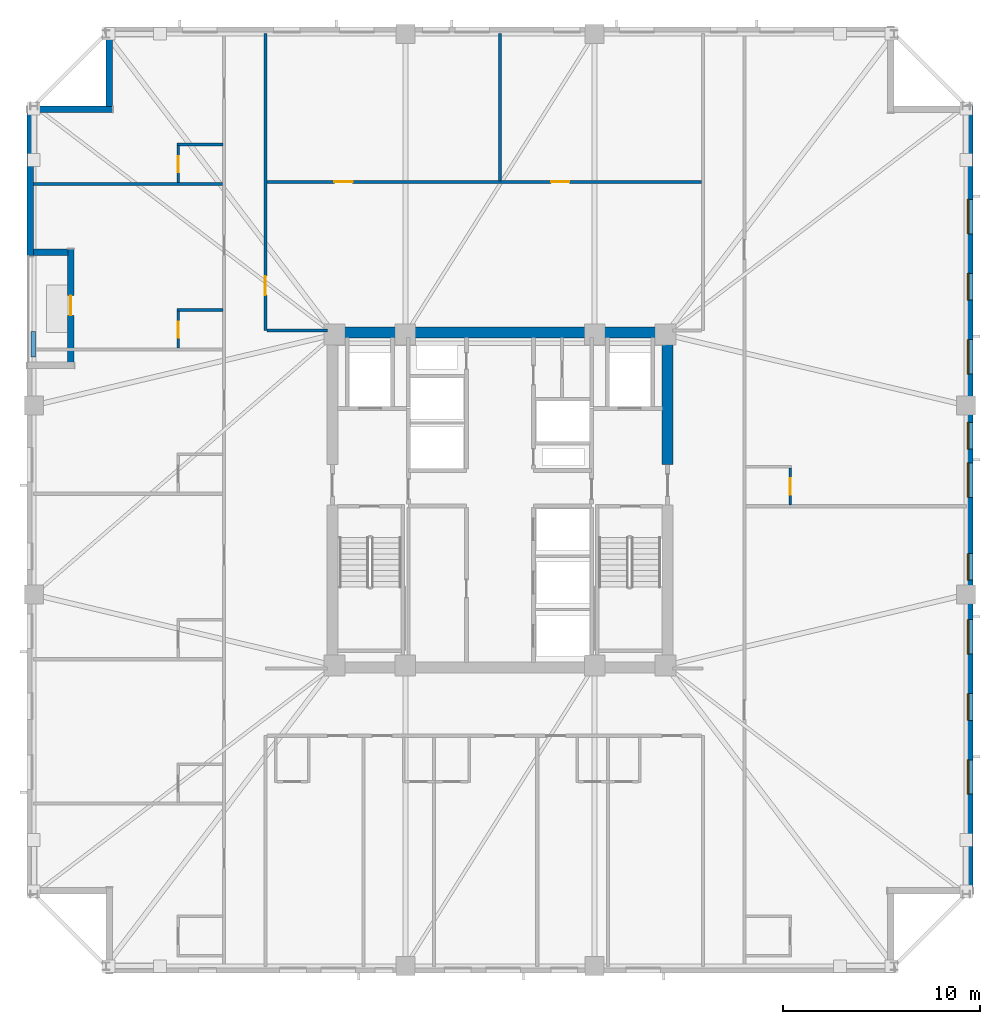
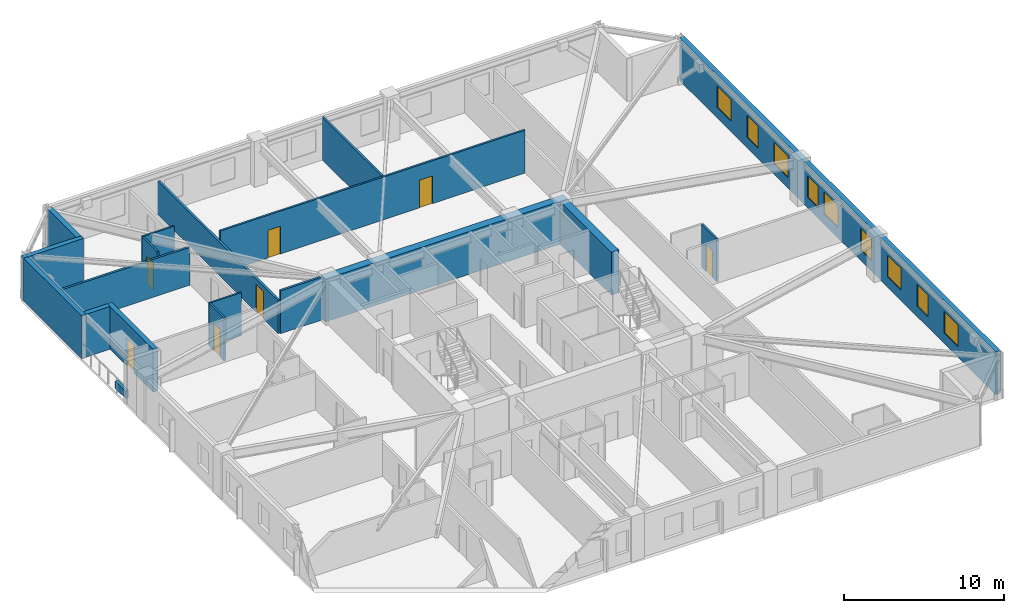
# One storey, part 5 of 11: 19 walls, 9 windows, 7 doors, 16 openings.
"""IFC4 building model written with IfcOpenShell, lengths in metres."""

from ifc_helpers import new_model, si_unit, direction, frame, frame_2d, origin, place, context, subcontext, project, spatial, rectangle, extrude, material, layer, layer_set, type_object, element, fill, save


model = new_model("IFC4")

# Units and contexts
model_context = context("Model", 3, precision=1e-05, world=origin(), true_north=direction((0.0, 1.0)))
body_context = subcontext(model_context, "Body", "Model", "MODEL_VIEW")
ifc_project = project(units=[si_unit("LENGTHUNIT", "METRE"), si_unit("AREAUNIT", "SQUARE_METRE"), si_unit("VOLUMEUNIT", "CUBIC_METRE"), si_unit("PLANEANGLEUNIT", "RADIAN"), si_unit("MASSUNIT", "GRAM", prefix="KILO")], contexts=[model_context])

# Site, building, storey
site_placement = place(None, origin())
site = spatial("IfcSite", under=ifc_project, at=site_placement, CompositionType="ELEMENT")
building_placement = place(site_placement, origin())
building = spatial("IfcBuilding", under=site, at=building_placement, Name="Cairnveth Concourse Tower", CompositionType="ELEMENT")
storey_placement = place(building_placement, frame((0.0, 0.0, 116.5)))
storey = spatial("IfcBuildingStorey", under=building, at=storey_placement, Name="L31", CompositionType="ELEMENT", Elevation=116.5)

# Wall, opening, door
ifc_material_1 = material(Name="Gypsum Plasterboard Partition", Category="gypsum")
ifc_layer_1 = layer(ifc_material_1, 0.159912109375)
ifc_layer_set_1 = layer_set([ifc_layer_1], Name="Gypsum Plasterboard Partition")
wall_type_1 = type_object("IfcWallType", Name="ACOUSTIC PARTY WALL 180", PredefinedType="PARTITIONING", material=ifc_layer_set_1)
wall_1_placement = place(storey_placement, frame((40.10009765625, 47.60009765625, 0.0), z_axis=(0.0, 0.0, 1.0), x_axis=(0.0, 1.0, 0.0)))
wall_1 = element("IfcWall", 1, at=wall_1_placement, inside=storey, type_object=wall_type_1, Name="Interior Wall IW-L31-038", PredefinedType="PARTITIONING", context=body_context, shape_type="SweptSolid", body=[
    extrude(rectangle(XDim=15.074951171875, YDim=0.159912109375, at=frame_2d((7.53759765625, 0.0))), origin(), (0.0, 0.0, 1.0), 2.554931640625),
])
opening_1_placement = place(wall_1_placement, frame((1.800048828125, 0.0, 0.0)))
opening_1 = element("IfcOpeningElement", 2, at=opening_1_placement, cuts=wall_1, Name="Opening ID11", PredefinedType="OPENING", context=body_context, shape_type="SweptSolid", body=[
    extrude(rectangle(XDim=0.9599609375, YDim=2.1201171875, at=frame_2d((0.47998046875, 1.06005859375))), frame((0.0, 0.08984375, 0.0), z_axis=(0.0, -1.0, 0.0), x_axis=(1.0, 0.0, 0.0)), (0.0, 0.0, 1.0), 0.179931640625),
])
ifc_material_2 = material(Name="Solid Core Hardwood Timber Leaf", Category="wood")
door_type_1 = type_object("IfcDoorType", Name="INTERIOR SINGLE DOOR 960X2150", OperationType="NOTDEFINED", PredefinedType="DOOR", material=ifc_material_2)
door_1_placement = place(opening_1_placement, origin())
door_1 = element("IfcDoor", 3, at=door_1_placement, inside=storey, type_object=door_type_1, Name="Interior Door DR-L31-015", OperationType="SINGLE_SWING_LEFT", OverallHeight=2.1201171875, OverallWidth=0.9599609375, PredefinedType="DOOR", context=body_context, shape_type="SweptSolid", body=[
    extrude(rectangle(XDim=0.9599609375, YDim=2.1201171875, at=frame_2d((0.47998046875, 1.06005859375))), frame((0.0, 0.02490234375, 0.0), z_axis=(0.0, -1.0, 0.0), x_axis=(1.0, 0.0, 0.0)), (0.0, 0.0, 1.0), 0.050048828125),
])
fill(opening_1, door_1)

# Walls
wall_2_placement = place(storey_placement, frame((40.1650390625, 47.60009765625, 0.0), z_axis=(0.0, 0.0, 1.0), x_axis=(1.0, 0.0, 0.0)))
element("IfcWall", 4, at=wall_2_placement, inside=storey, type_object=wall_type_1, Name="Interior Wall IW-L31-040", PredefinedType="PARTITIONING", context=body_context, shape_type="SweptSolid", body=[
    extrude(rectangle(XDim=3.070068359375, YDim=0.159912109375, at=frame_2d((1.53515625, 0.0))), origin(), (0.0, 0.0, 1.0), 3.280029296875),
])
wall_3_placement = place(storey_placement, frame((28.324951171875, 55.036865234375, 0.0), z_axis=(0.0, 0.0, 1.0), x_axis=(1.0, 0.0, 0.0)))
element("IfcWall", 5, at=wall_3_placement, inside=storey, type_object=wall_type_1, Name="Interior Wall IW-L31-079", PredefinedType="PARTITIONING", context=body_context, shape_type="SweptSolid", body=[
    extrude(rectangle(XDim=9.594970703125, YDim=0.159912109375, at=frame_2d((4.79736328125, 0.0))), origin(), (0.0, 0.0, 1.0), 2.89599609375),
])
ifc_material_3 = material(Name="Concrete N80 (80 MPa)", Category="concrete")
ifc_layer_2 = layer(ifc_material_3, 0.550048828125)
ifc_layer_set_2 = layer_set([ifc_layer_2], Name="Concrete N80 (80 MPa)")
wall_type_2 = type_object("IfcWallType", Name="CORE SHEAR WALL 550", PredefinedType="SHEAR", material=ifc_layer_set_2)
wall_4_placement = place(storey_placement, frame((43.22509765625, 47.5, 0.0), z_axis=(0.0, 0.0, 1.0), x_axis=(1.0, 0.0, 0.0)))
element("IfcWall", 6, at=wall_4_placement, inside=storey, type_object=wall_type_2, Name="Core North Shear Wall L31", PredefinedType="SHEAR", context=body_context, shape_type="SweptSolid", body=[
    extrude(rectangle(XDim=17.5498046875, YDim=0.550048828125, at=frame_2d((8.77490234375, 0.0))), origin(), (0.0, 0.0, 1.0), 3.280029296875),
])
wall_5_placement = place(storey_placement, frame((60.5, 40.800048828125, 0.0), z_axis=(0.0, 0.0, 1.0), x_axis=(0.0, 1.0, 0.0)))
element("IfcWall", 7, at=wall_5_placement, inside=storey, type_object=wall_type_2, Name="Core East Shear Wall N L31", PredefinedType="SHEAR", context=body_context, shape_type="SweptSolid", body=[
    extrude(rectangle(XDim=6.43505859375, YDim=0.550048828125, at=frame_2d((3.217529296875, 0.0))), origin(), (0.0, 0.0, 1.0), 3.280029296875),
])

# Wall, openings, doors
ifc_layer_3 = layer(ifc_material_1, 0.139892578125)
ifc_layer_set_3 = layer_set([ifc_layer_3], Name="Gypsum Plasterboard Partition")
wall_type_3 = type_object("IfcWallType", Name="GYPSUM STUD PARTITION 140", PredefinedType="PARTITIONING", material=ifc_layer_set_3)
wall_6_placement = place(storey_placement, frame((40.1650390625, 55.139892578125, 0.0), z_axis=(0.0, 0.0, 1.0), x_axis=(1.0, 0.0, 0.0)))
wall_6 = element("IfcWall", 8, at=wall_6_placement, inside=storey, type_object=wall_type_3, Name="Interior Wall IW-L31-047", PredefinedType="PARTITIONING", context=body_context, shape_type="SweptSolid", body=[
    extrude(rectangle(XDim=22.070068359375, YDim=0.139892578125, at=frame_2d((11.03515625, 0.0))), origin(), (0.0, 0.0, 1.0), 3.280029296875),
])
opening_2_placement = place(wall_6_placement, frame((3.43505859375, 0.0, 0.0)))
opening_2 = element("IfcOpeningElement", 9, at=opening_2_placement, cuts=wall_6, Name="Opening ID15", PredefinedType="OPENING", context=body_context, shape_type="SweptSolid", body=[
    extrude(rectangle(XDim=0.919921875, YDim=2.1201171875, at=frame_2d((0.4599609375, 1.06005859375))), frame((0.0, 0.079833984375, 0.0), z_axis=(0.0, -1.0, 0.0), x_axis=(1.0, 0.0, 0.0)), (0.0, 0.0, 1.0), 0.159912109375),
])
opening_3_placement = place(wall_6_placement, frame((14.43505859375, 0.0, 0.0)))
opening_3 = element("IfcOpeningElement", 10, at=opening_3_placement, cuts=wall_6, Name="Opening ID15", PredefinedType="OPENING", context=body_context, shape_type="SweptSolid", body=[
    extrude(rectangle(XDim=0.919921875, YDim=2.1201171875, at=frame_2d((0.4599609375, 1.06005859375))), frame((0.0, 0.079833984375, 0.0), z_axis=(0.0, -1.0, 0.0), x_axis=(1.0, 0.0, 0.0)), (0.0, 0.0, 1.0), 0.159912109375),
])
door_type_2 = type_object("IfcDoorType", Name="INTERIOR SINGLE DOOR 920X2100", OperationType="NOTDEFINED", PredefinedType="DOOR", material=ifc_material_2)
door_2_placement = place(opening_2_placement, origin())
door_2 = element("IfcDoor", 11, at=door_2_placement, inside=storey, type_object=door_type_2, Name="Interior Door DR-L31-016", OperationType="SINGLE_SWING_RIGHT", OverallHeight=2.1201171875, OverallWidth=0.919921875, PredefinedType="DOOR", context=body_context, shape_type="SweptSolid", body=[
    extrude(rectangle(XDim=0.919921875, YDim=2.1201171875, at=frame_2d((0.4599609375, 1.06005859375))), frame((0.0, 0.02490234375, 0.0), z_axis=(0.0, -1.0, 0.0), x_axis=(1.0, 0.0, 0.0)), (0.0, 0.0, 1.0), 0.050048828125),
])
fill(opening_2, door_2)
door_3_placement = place(opening_3_placement, origin())
door_3 = element("IfcDoor", 12, at=door_3_placement, inside=storey, type_object=door_type_2, Name="Interior Door DR-L31-017", OperationType="SINGLE_SWING_LEFT", OverallHeight=2.1201171875, OverallWidth=0.919921875, PredefinedType="DOOR", context=body_context, shape_type="SweptSolid", body=[
    extrude(rectangle(XDim=0.919921875, YDim=2.1201171875, at=frame_2d((0.4599609375, 1.06005859375))), frame((0.0, 0.02490234375, 0.0), z_axis=(0.0, -1.0, 0.0), x_axis=(1.0, 0.0, 0.0)), (0.0, 0.0, 1.0), 0.050048828125),
])
fill(opening_3, door_3)

# Walls
wall_7_placement = place(storey_placement, frame((52.0, 55.195068359375, 0.0), z_axis=(0.0, 0.0, 1.0), x_axis=(0.0, 1.0, 0.0)))
element("IfcWall", 13, at=wall_7_placement, inside=storey, type_object=wall_type_3, Name="Interior Wall IW-L31-048", PredefinedType="PARTITIONING", context=body_context, shape_type="SweptSolid", body=[
    extrude(rectangle(XDim=7.47998046875, YDim=0.139892578125, at=frame_2d((3.739990234375, 0.0))), origin(), (0.0, 0.0, 1.0), 3.280029296875),
])
ifc_material_4 = material(Name="Dressed Melbourne Bluestone Cladding", Category="masonry")
ifc_layer_4 = layer(ifc_material_4, 0.219970703125)
ifc_layer_set_4 = layer_set([ifc_layer_4], Name="Dressed Melbourne Bluestone Cladding")
wall_type_4 = type_object("IfcWallType", Name="TERRACE PLANTER CURB WALL 220", PredefinedType="PARAPET", material=ifc_layer_set_4)
wall_8_placement = place(storey_placement, frame((28.320068359375, 46.25, 0.0), z_axis=(0.0, 0.0, 1.0), x_axis=(0.0, 1.0, 0.0)))
element("IfcWall", 14, at=wall_8_placement, inside=storey, type_object=wall_type_4, Name="Exterior Wall PLNT-L31-TERR", PredefinedType="PARAPET", context=body_context, shape_type="SweptSolid", body=[
    extrude(rectangle(XDim=1.300048828125, YDim=0.219970703125, at=frame_2d((0.64990234375, 0.0))), origin(), (0.0, 0.0, 1.0), 0.550048828125),
])
ifc_layer_5 = layer(ifc_material_1, 0.1298828125)
ifc_layer_set_5 = layer_set([ifc_layer_5], Name="Gypsum Plasterboard Partition")
wall_type_5 = type_object("IfcWallType", Name="WET AREA PARTITION 140", PredefinedType="PLUMBINGWALL", material=ifc_layer_set_5)
wall_9_placement = place(storey_placement, frame((35.6201171875, 48.640625, 0.0), z_axis=(0.0, 0.0, 1.0), x_axis=(1.0, 0.0, 0.0)))
element("IfcWall", 15, at=wall_9_placement, inside=storey, type_object=wall_type_5, Name="Interior Wall IW-L31-077", PredefinedType="PLUMBINGWALL", context=body_context, shape_type="SweptSolid", body=[
    extrude(rectangle(XDim=2.31494140625, YDim=0.1298828125, at=frame_2d((1.157470703125, 0.0))), origin(), (0.0, 0.0, 1.0), 3.280029296875),
])

# Wall, opening, door
wall_10_placement = place(storey_placement, frame((35.669921875, 46.70556640625, 0.0), z_axis=(0.0, 0.0, 1.0), x_axis=(0.0, 1.0, 0.0)))
wall_10 = element("IfcWall", 16, at=wall_10_placement, inside=storey, type_object=wall_type_5, Name="Interior Wall IW-L31-078", PredefinedType="PLUMBINGWALL", context=body_context, shape_type="SweptSolid", body=[
    extrude(rectangle(XDim=1.885009765625, YDim=0.1298828125, at=frame_2d((0.9423828125, 0.0))), origin(), (0.0, 0.0, 1.0), 3.280029296875),
])
opening_4_placement = place(wall_10_placement, frame((0.52490234375, 0.0, 0.0)))
opening_4 = element("IfcOpeningElement", 17, at=opening_4_placement, cuts=wall_10, Name="Opening ID22", PredefinedType="OPENING", context=body_context, shape_type="SweptSolid", body=[
    extrude(rectangle(XDim=0.820068359375, YDim=2.10009765625, at=frame_2d((0.41015625, 1.050048828125))), frame((0.0, 0.074951171875, 0.0), z_axis=(0.0, -1.0, 0.0), x_axis=(1.0, 0.0, 0.0)), (0.0, 0.0, 1.0), 0.14990234375),
])
door_type_3 = type_object("IfcDoorType", Name="INTERIOR WC DOOR 820X2100", OperationType="NOTDEFINED", PredefinedType="DOOR", material=ifc_material_2)
door_4_placement = place(opening_4_placement, origin())
door_4 = element("IfcDoor", 18, at=door_4_placement, inside=storey, type_object=door_type_3, Name="En-Suite Door L31-W5", OperationType="SINGLE_SWING_RIGHT", OverallHeight=2.10009765625, OverallWidth=0.820068359375, PredefinedType="DOOR", context=body_context, shape_type="SweptSolid", body=[
    extrude(rectangle(XDim=0.820068359375, YDim=2.10009765625, at=frame_2d((0.41015625, 1.050048828125))), frame((0.0, 0.02490234375, 0.0), z_axis=(0.0, -1.0, 0.0), x_axis=(1.0, 0.0, 0.0)), (0.0, 0.0, 1.0), 0.050048828125),
])
fill(opening_4, door_4)

# Wall
wall_11_placement = place(storey_placement, frame((35.6201171875, 57.036865234375, 0.0), z_axis=(0.0, 0.0, 1.0), x_axis=(1.0, 0.0, 0.0)))
element("IfcWall", 19, at=wall_11_placement, inside=storey, type_object=wall_type_5, Name="Interior Wall IW-L31-080", PredefinedType="PLUMBINGWALL", context=body_context, shape_type="SweptSolid", body=[
    extrude(rectangle(XDim=2.31494140625, YDim=0.1298828125, at=frame_2d((1.157470703125, 0.0))), origin(), (0.0, 0.0, 1.0), 3.280029296875),
])

# Wall, opening, door
wall_12_placement = place(storey_placement, frame((35.669921875, 55.101806640625, 0.0), z_axis=(0.0, 0.0, 1.0), x_axis=(0.0, 1.0, 0.0)))
wall_12 = element("IfcWall", 20, at=wall_12_placement, inside=storey, type_object=wall_type_5, Name="Interior Wall IW-L31-081", PredefinedType="PLUMBINGWALL", context=body_context, shape_type="SweptSolid", body=[
    extrude(rectangle(XDim=1.885009765625, YDim=0.1298828125, at=frame_2d((0.9423828125, 0.0))), origin(), (0.0, 0.0, 1.0), 3.280029296875),
])
opening_5_placement = place(wall_12_placement, frame((0.52490234375, 0.0, 0.0)))
opening_5 = element("IfcOpeningElement", 21, at=opening_5_placement, cuts=wall_12, Name="Opening ID22", PredefinedType="OPENING", context=body_context, shape_type="SweptSolid", body=[
    extrude(rectangle(XDim=0.820068359375, YDim=2.10009765625, at=frame_2d((0.41015625, 1.050048828125))), frame((0.0, 0.074951171875, 0.0), z_axis=(0.0, -1.0, 0.0), x_axis=(1.0, 0.0, 0.0)), (0.0, 0.0, 1.0), 0.14990234375),
])
door_5_placement = place(opening_5_placement, origin())
door_5 = element("IfcDoor", 22, at=door_5_placement, inside=storey, type_object=door_type_3, Name="En-Suite Door L31-W6", OperationType="SINGLE_SWING_RIGHT", OverallHeight=2.10009765625, OverallWidth=0.820068359375, PredefinedType="DOOR", context=body_context, shape_type="SweptSolid", body=[
    extrude(rectangle(XDim=0.820068359375, YDim=2.10009765625, at=frame_2d((0.41015625, 1.050048828125))), frame((0.0, 0.02490234375, 0.0), z_axis=(0.0, -1.0, 0.0), x_axis=(1.0, 0.0, 0.0)), (0.0, 0.0, 1.0), 0.050048828125),
])
fill(opening_5, door_5)

wall_13_placement = place(storey_placement, frame((66.72998046875, 38.748046875, 0.0), z_axis=(0.0, 0.0, 1.0), x_axis=(0.0, 1.0, 0.0)))
wall_13 = element("IfcWall", 23, at=wall_13_placement, inside=storey, type_object=wall_type_5, Name="Interior Wall IW-L31-087", PredefinedType="PLUMBINGWALL", context=body_context, shape_type="SweptSolid", body=[
    extrude(rectangle(XDim=1.885009765625, YDim=0.1298828125, at=frame_2d((0.9423828125, 0.0))), origin(), (0.0, 0.0, 1.0), 3.280029296875),
])
opening_6_placement = place(wall_13_placement, frame((0.52490234375, 0.0, 0.0)))
opening_6 = element("IfcOpeningElement", 24, at=opening_6_placement, cuts=wall_13, Name="Opening ID22", PredefinedType="OPENING", context=body_context, shape_type="SweptSolid", body=[
    extrude(rectangle(XDim=0.820068359375, YDim=2.10009765625, at=frame_2d((0.41015625, 1.050048828125))), frame((0.0, 0.074951171875, 0.0), z_axis=(0.0, -1.0, 0.0), x_axis=(1.0, 0.0, 0.0)), (0.0, 0.0, 1.0), 0.14990234375),
])
door_6_placement = place(opening_6_placement, origin())
door_6 = element("IfcDoor", 25, at=door_6_placement, inside=storey, type_object=door_type_3, Name="En-Suite Door L31-E2", OperationType="SINGLE_SWING_RIGHT", OverallHeight=2.10009765625, OverallWidth=0.820068359375, PredefinedType="DOOR", context=body_context, shape_type="SweptSolid", body=[
    extrude(rectangle(XDim=0.820068359375, YDim=2.10009765625, at=frame_2d((0.41015625, 1.050048828125))), frame((0.0, 0.02490234375, 0.0), z_axis=(0.0, -1.0, 0.0), x_axis=(1.0, 0.0, 0.0)), (0.0, 0.0, 1.0), 0.050048828125),
])
fill(opening_6, door_6)

# Walls
ifc_material_5 = material(Name="Hawthorn Red-Ochre Fired Clay Brick Masonry", Category="masonry")
ifc_layer_6 = layer(ifc_material_5, 0.340087890625)
ifc_layer_set_6 = layer_set([ifc_layer_6], Name="Hawthorn Red-Ochre Fired Clay Brick Masonry")
wall_type_6 = type_object("IfcWallType", Name="ZONE 2 BRICK PIER SPANDREL WALL 340", PredefinedType="SOLIDWALL", material=ifc_layer_set_6)
wall_14_placement = place(storey_placement, frame((28.169921875, 51.39990234375, 0.0), z_axis=(0.0, 0.0, 1.0), x_axis=(0.0, 1.0, 0.0)))
element("IfcWall", 26, at=wall_14_placement, inside=storey, type_object=wall_type_6, Name="Exterior Wall EW-L31-S00", PredefinedType="SOLIDWALL", context=body_context, shape_type="SweptSolid", body=[
    extrude(rectangle(XDim=7.281982421875, YDim=0.340087890625, at=frame_2d((3.64111328125, 0.0))), origin(), (0.0, 0.0, 1.0), 3.280029296875),
])
wall_15_placement = place(storey_placement, frame((28.0, 58.830078125, 0.0), z_axis=(0.0, 0.0, 1.0), x_axis=(1.0, 0.0, 0.0)))
element("IfcWall", 27, at=wall_15_placement, inside=storey, type_object=wall_type_6, Name="Exterior Wall EW-L31-S01", PredefinedType="SOLIDWALL", context=body_context, shape_type="SweptSolid", body=[
    extrude(rectangle(XDim=4.340087890625, YDim=0.340087890625, at=frame_2d((2.169921875, 0.0))), origin(), (0.0, 0.0, 1.0), 3.280029296875),
])
wall_16_placement = place(storey_placement, frame((32.169921875, 58.97802734375, 0.0), z_axis=(0.0, 0.0, 1.0), x_axis=(0.0, 1.0, 0.0)))
element("IfcWall", 28, at=wall_16_placement, inside=storey, type_object=wall_type_6, Name="Exterior Wall EW-L31-S02", PredefinedType="SOLIDWALL", context=body_context, shape_type="SweptSolid", body=[
    extrude(rectangle(XDim=3.703857421875, YDim=0.340087890625, at=frame_2d((1.85205078125, 0.0))), origin(), (0.0, 0.0, 1.0), 3.280029296875),
])

# Wall, openings, windows
wall_17_placement = place(storey_placement, frame((75.830078125, 59.0, 0.0), z_axis=(0.0, 0.0, 1.0), x_axis=(0.0, -1.0, 0.0)))
wall_17 = element("IfcWall", 29, at=wall_17_placement, inside=storey, type_object=wall_type_6, Name="Exterior Wall EW-L31-S06", PredefinedType="SOLIDWALL", context=body_context, shape_type="SweptSolid", body=[
    extrude(rectangle(XDim=39.681884765625, YDim=0.340087890625, at=frame_2d((19.8408203125, 0.0))), origin(), (0.0, 0.0, 1.0), 3.280029296875),
])
opening_7_placement = place(wall_17_placement, frame((4.751708984375, 0.0, 0.800048828125)))
opening_7 = element("IfcOpeningElement", 30, at=opening_7_placement, cuts=wall_17, Name="Opening W06", PredefinedType="OPENING", context=body_context, shape_type="SweptSolid", body=[
    extrude(rectangle(XDim=1.75, YDim=1.659912109375, at=frame_2d((0.875, 0.830078125))), frame((0.0, 0.179931640625, 0.0), z_axis=(0.0, -1.0, 0.0), x_axis=(1.0, 0.0, 0.0)), (0.0, 0.0, 1.0), 0.360107421875),
])
opening_8_placement = place(wall_17_placement, frame((8.50537109375, 0.0, 0.800048828125)))
opening_8 = element("IfcOpeningElement", 31, at=opening_8_placement, cuts=wall_17, Name="Opening W02", PredefinedType="OPENING", context=body_context, shape_type="SweptSolid", body=[
    extrude(rectangle(XDim=1.35009765625, YDim=1.659912109375, at=frame_2d((0.675048828125, 0.830078125))), frame((0.0, 0.179931640625, 0.0), z_axis=(0.0, -1.0, 0.0), x_axis=(1.0, 0.0, 0.0)), (0.0, 0.0, 1.0), 0.360107421875),
])
opening_9_placement = place(wall_17_placement, frame((11.85888671875, 0.0, 0.800048828125)))
opening_9 = element("IfcOpeningElement", 32, at=opening_9_placement, cuts=wall_17, Name="Opening W06", PredefinedType="OPENING", context=body_context, shape_type="SweptSolid", body=[
    extrude(rectangle(XDim=1.75, YDim=1.659912109375, at=frame_2d((0.875, 0.830078125))), frame((0.0, 0.179931640625, 0.0), z_axis=(0.0, -1.0, 0.0), x_axis=(1.0, 0.0, 0.0)), (0.0, 0.0, 1.0), 0.360107421875),
])
opening_10_placement = place(wall_17_placement, frame((16.0625, 0.0, 0.800048828125)))
opening_10 = element("IfcOpeningElement", 33, at=opening_10_placement, cuts=wall_17, Name="Opening W02", PredefinedType="OPENING", context=body_context, shape_type="SweptSolid", body=[
    extrude(rectangle(XDim=1.35009765625, YDim=1.659912109375, at=frame_2d((0.675048828125, 0.830078125))), frame((0.0, 0.179931640625, 0.0), z_axis=(0.0, -1.0, 0.0), x_axis=(1.0, 0.0, 0.0)), (0.0, 0.0, 1.0), 0.360107421875),
])
opening_11_placement = place(wall_17_placement, frame((18.115966796875, 0.0, 0.800048828125)))
opening_11 = element("IfcOpeningElement", 34, at=opening_11_placement, cuts=wall_17, Name="Opening W06", PredefinedType="OPENING", context=body_context, shape_type="SweptSolid", body=[
    extrude(rectangle(XDim=1.75, YDim=1.659912109375, at=frame_2d((0.875, 0.830078125))), frame((0.0, 0.179931640625, 0.0), z_axis=(0.0, -1.0, 0.0), x_axis=(1.0, 0.0, 0.0)), (0.0, 0.0, 1.0), 0.360107421875),
])
opening_12_placement = place(wall_17_placement, frame((22.719482421875, 0.0, 0.800048828125)))
opening_12 = element("IfcOpeningElement", 35, at=opening_12_placement, cuts=wall_17, Name="Opening W02", PredefinedType="OPENING", context=body_context, shape_type="SweptSolid", body=[
    extrude(rectangle(XDim=1.35009765625, YDim=1.659912109375, at=frame_2d((0.675048828125, 0.830078125))), frame((0.0, 0.179931640625, 0.0), z_axis=(0.0, -1.0, 0.0), x_axis=(1.0, 0.0, 0.0)), (0.0, 0.0, 1.0), 0.360107421875),
])
opening_13_placement = place(wall_17_placement, frame((26.072998046875, 0.0, 0.800048828125)))
opening_13 = element("IfcOpeningElement", 36, at=opening_13_placement, cuts=wall_17, Name="Opening W06", PredefinedType="OPENING", context=body_context, shape_type="SweptSolid", body=[
    extrude(rectangle(XDim=1.75, YDim=1.659912109375, at=frame_2d((0.875, 0.830078125))), frame((0.0, 0.179931640625, 0.0), z_axis=(0.0, -1.0, 0.0), x_axis=(1.0, 0.0, 0.0)), (0.0, 0.0, 1.0), 0.360107421875),
])
opening_14_placement = place(wall_17_placement, frame((29.82666015625, 0.0, 0.800048828125)))
opening_14 = element("IfcOpeningElement", 37, at=opening_14_placement, cuts=wall_17, Name="Opening W02", PredefinedType="OPENING", context=body_context, shape_type="SweptSolid", body=[
    extrude(rectangle(XDim=1.35009765625, YDim=1.659912109375, at=frame_2d((0.675048828125, 0.830078125))), frame((0.0, 0.179931640625, 0.0), z_axis=(0.0, -1.0, 0.0), x_axis=(1.0, 0.0, 0.0)), (0.0, 0.0, 1.0), 0.360107421875),
])
opening_15_placement = place(wall_17_placement, frame((33.18017578125, 0.0, 0.800048828125)))
opening_15 = element("IfcOpeningElement", 38, at=opening_15_placement, cuts=wall_17, Name="Opening W06", PredefinedType="OPENING", context=body_context, shape_type="SweptSolid", body=[
    extrude(rectangle(XDim=1.75, YDim=1.659912109375, at=frame_2d((0.875, 0.830078125))), frame((0.0, 0.179931640625, 0.0), z_axis=(0.0, -1.0, 0.0), x_axis=(1.0, 0.0, 0.0)), (0.0, 0.0, 1.0), 0.360107421875),
])
ifc_material_6 = material(Name="Double Glazed Low-E Clear Glass", Category="glass")
window_type_1 = type_object("IfcWindowType", Name="DEEP-SET GOTHIC LANCET WINDOW 1350X1800", PartitioningType="DOUBLE_PANEL_VERTICAL", PredefinedType="WINDOW", material=ifc_material_6)
window_1_placement = place(opening_8_placement, origin())
window_1 = element("IfcWindow", 39, at=window_1_placement, inside=storey, type_object=window_type_1, Name="Gothic Lancet Window L31-6-2", OverallHeight=1.659912109375, OverallWidth=1.35009765625, PartitioningType="SINGLE_PANEL", PredefinedType="WINDOW", context=body_context, shape_type="SweptSolid", body=[
    extrude(rectangle(XDim=1.35009765625, YDim=1.659912109375, at=frame_2d((0.675048828125, 0.830078125))), frame((0.0, -0.050048828125, 0.0), z_axis=(0.0, -1.0, 0.0), x_axis=(1.0, 0.0, 0.0)), (0.0, 0.0, 1.0), 0.06005859375),
])
fill(opening_8, window_1)
window_2_placement = place(opening_10_placement, origin())
window_2 = element("IfcWindow", 40, at=window_2_placement, inside=storey, type_object=window_type_1, Name="Gothic Lancet Window L31-6-4", OverallHeight=1.659912109375, OverallWidth=1.35009765625, PartitioningType="SINGLE_PANEL", PredefinedType="WINDOW", context=body_context, shape_type="SweptSolid", body=[
    extrude(rectangle(XDim=1.35009765625, YDim=1.659912109375, at=frame_2d((0.675048828125, 0.830078125))), frame((0.0, -0.050048828125, 0.0), z_axis=(0.0, -1.0, 0.0), x_axis=(1.0, 0.0, 0.0)), (0.0, 0.0, 1.0), 0.06005859375),
])
fill(opening_10, window_2)
window_3_placement = place(opening_12_placement, origin())
window_3 = element("IfcWindow", 41, at=window_3_placement, inside=storey, type_object=window_type_1, Name="Gothic Lancet Window L31-6-6", OverallHeight=1.659912109375, OverallWidth=1.35009765625, PartitioningType="SINGLE_PANEL", PredefinedType="WINDOW", context=body_context, shape_type="SweptSolid", body=[
    extrude(rectangle(XDim=1.35009765625, YDim=1.659912109375, at=frame_2d((0.675048828125, 0.830078125))), frame((0.0, -0.050048828125, 0.0), z_axis=(0.0, -1.0, 0.0), x_axis=(1.0, 0.0, 0.0)), (0.0, 0.0, 1.0), 0.06005859375),
])
fill(opening_12, window_3)
window_4_placement = place(opening_14_placement, origin())
window_4 = element("IfcWindow", 42, at=window_4_placement, inside=storey, type_object=window_type_1, Name="Gothic Lancet Window L31-6-8", OverallHeight=1.659912109375, OverallWidth=1.35009765625, PartitioningType="SINGLE_PANEL", PredefinedType="WINDOW", context=body_context, shape_type="SweptSolid", body=[
    extrude(rectangle(XDim=1.35009765625, YDim=1.659912109375, at=frame_2d((0.675048828125, 0.830078125))), frame((0.0, -0.050048828125, 0.0), z_axis=(0.0, -1.0, 0.0), x_axis=(1.0, 0.0, 0.0)), (0.0, 0.0, 1.0), 0.06005859375),
])
fill(opening_14, window_4)
window_type_2 = type_object("IfcWindowType", Name="DEEP-SET HOTEL SUITE WINDOW 1750X1800", PartitioningType="DOUBLE_PANEL_VERTICAL", PredefinedType="WINDOW", material=ifc_material_6)
window_5_placement = place(opening_7_placement, origin())
window_5 = element("IfcWindow", 43, at=window_5_placement, inside=storey, type_object=window_type_2, Name="Gothic Lancet Window L31-6-1", OverallHeight=1.659912109375, OverallWidth=1.75, PartitioningType="SINGLE_PANEL", PredefinedType="WINDOW", context=body_context, shape_type="SweptSolid", body=[
    extrude(rectangle(XDim=1.75, YDim=1.659912109375, at=frame_2d((0.875, 0.830078125))), frame((0.0, -0.050048828125, 0.0), z_axis=(0.0, -1.0, 0.0), x_axis=(1.0, 0.0, 0.0)), (0.0, 0.0, 1.0), 0.06005859375),
])
fill(opening_7, window_5)
window_6_placement = place(opening_9_placement, origin())
window_6 = element("IfcWindow", 44, at=window_6_placement, inside=storey, type_object=window_type_2, Name="Gothic Lancet Window L31-6-3", OverallHeight=1.659912109375, OverallWidth=1.75, PartitioningType="SINGLE_PANEL", PredefinedType="WINDOW", context=body_context, shape_type="SweptSolid", body=[
    extrude(rectangle(XDim=1.75, YDim=1.659912109375, at=frame_2d((0.875, 0.830078125))), frame((0.0, -0.050048828125, 0.0), z_axis=(0.0, -1.0, 0.0), x_axis=(1.0, 0.0, 0.0)), (0.0, 0.0, 1.0), 0.06005859375),
])
fill(opening_9, window_6)
window_7_placement = place(opening_11_placement, origin())
window_7 = element("IfcWindow", 45, at=window_7_placement, inside=storey, type_object=window_type_2, Name="Gothic Lancet Window L31-6-5", OverallHeight=1.659912109375, OverallWidth=1.75, PartitioningType="SINGLE_PANEL", PredefinedType="WINDOW", context=body_context, shape_type="SweptSolid", body=[
    extrude(rectangle(XDim=1.75, YDim=1.659912109375, at=frame_2d((0.875, 0.830078125))), frame((0.0, -0.050048828125, 0.0), z_axis=(0.0, -1.0, 0.0), x_axis=(1.0, 0.0, 0.0)), (0.0, 0.0, 1.0), 0.06005859375),
])
fill(opening_11, window_7)
window_8_placement = place(opening_13_placement, origin())
window_8 = element("IfcWindow", 46, at=window_8_placement, inside=storey, type_object=window_type_2, Name="Gothic Lancet Window L31-6-7", OverallHeight=1.659912109375, OverallWidth=1.75, PartitioningType="SINGLE_PANEL", PredefinedType="WINDOW", context=body_context, shape_type="SweptSolid", body=[
    extrude(rectangle(XDim=1.75, YDim=1.659912109375, at=frame_2d((0.875, 0.830078125))), frame((0.0, -0.050048828125, 0.0), z_axis=(0.0, -1.0, 0.0), x_axis=(1.0, 0.0, 0.0)), (0.0, 0.0, 1.0), 0.06005859375),
])
fill(opening_13, window_8)
window_9_placement = place(opening_15_placement, origin())
window_9 = element("IfcWindow", 47, at=window_9_placement, inside=storey, type_object=window_type_2, Name="Gothic Lancet Window L31-6-9", OverallHeight=1.659912109375, OverallWidth=1.75, PartitioningType="SINGLE_PANEL", PredefinedType="WINDOW", context=body_context, shape_type="SweptSolid", body=[
    extrude(rectangle(XDim=1.75, YDim=1.659912109375, at=frame_2d((0.875, 0.830078125))), frame((0.0, -0.050048828125, 0.0), z_axis=(0.0, -1.0, 0.0), x_axis=(1.0, 0.0, 0.0)), (0.0, 0.0, 1.0), 0.06005859375),
])
fill(opening_15, window_9)

# Wall, opening, door
wall_18_placement = place(storey_placement, frame((30.219970703125, 45.97802734375, 0.0), z_axis=(0.0, 0.0, 1.0), x_axis=(0.0, 1.0, 0.0)))
wall_18 = element("IfcWall", 48, at=wall_18_placement, inside=storey, type_object=wall_type_6, Name="Exterior Wall EW-L31-S14", PredefinedType="SOLIDWALL", context=body_context, shape_type="SweptSolid", body=[
    extrude(rectangle(XDim=5.761962890625, YDim=0.340087890625, at=frame_2d((2.880859375, 0.0))), origin(), (0.0, 0.0, 1.0), 3.280029296875),
])
opening_16_placement = place(wall_18_placement, frame((2.38720703125, 0.0, 0.0)))
opening_16 = element("IfcOpeningElement", 49, at=opening_16_placement, cuts=wall_18, Name="Opening ED4", PredefinedType="OPENING", context=body_context, shape_type="SweptSolid", body=[
    extrude(rectangle(XDim=1.0, YDim=2.14990234375, at=frame_2d((0.5, 1.074951171875))), frame((0.0, 0.179931640625, 0.0), z_axis=(0.0, -1.0, 0.0), x_axis=(1.0, 0.0, 0.0)), (0.0, 0.0, 1.0), 0.360107421875),
])
ifc_material_7 = material(Name="Architectural Bronze Anodised Aluminium 6063-T6", Category="aluminium")
door_type_4 = type_object("IfcDoorType", Name="TERRACE GLAZED DOOR 1000X2150", OperationType="NOTDEFINED", PredefinedType="DOOR", material=ifc_material_7)
door_7_placement = place(opening_16_placement, origin())
door_7 = element("IfcDoor", 50, at=door_7_placement, inside=storey, type_object=door_type_4, Name="Spiral Terrace Door L31", OperationType="SINGLE_SWING_RIGHT", OverallHeight=2.14990234375, OverallWidth=1.0, PredefinedType="DOOR", context=body_context, shape_type="SweptSolid", body=[
    extrude(rectangle(XDim=1.0, YDim=2.14990234375, at=frame_2d((0.5, 1.074951171875))), frame((0.0, 0.02490234375, 0.0), z_axis=(0.0, -1.0, 0.0), x_axis=(1.0, 0.0, 0.0)), (0.0, 0.0, 1.0), 0.050048828125),
])
fill(opening_16, door_7)

# Wall
wall_19_placement = place(storey_placement, frame((30.072021484375, 51.570068359375, 0.0), z_axis=(0.0, 0.0, 1.0), x_axis=(-1.0, 0.0, 0.0)))
element("IfcWall", 51, at=wall_19_placement, inside=storey, type_object=wall_type_6, Name="Exterior Wall EW-L31-S15", PredefinedType="SOLIDWALL", context=body_context, shape_type="SweptSolid", body=[
    extrude(rectangle(XDim=1.75390625, YDim=0.340087890625, at=frame_2d((0.876953125, 0.0))), origin(), (0.0, 0.0, 1.0), 3.280029296875),
])

save(model, "model.ifc")
